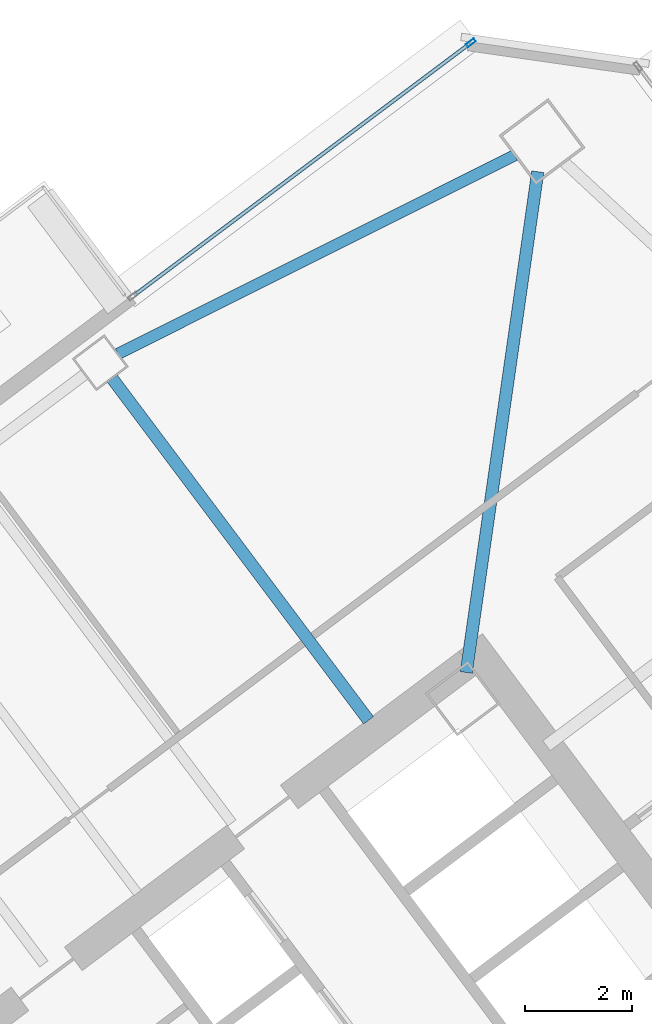
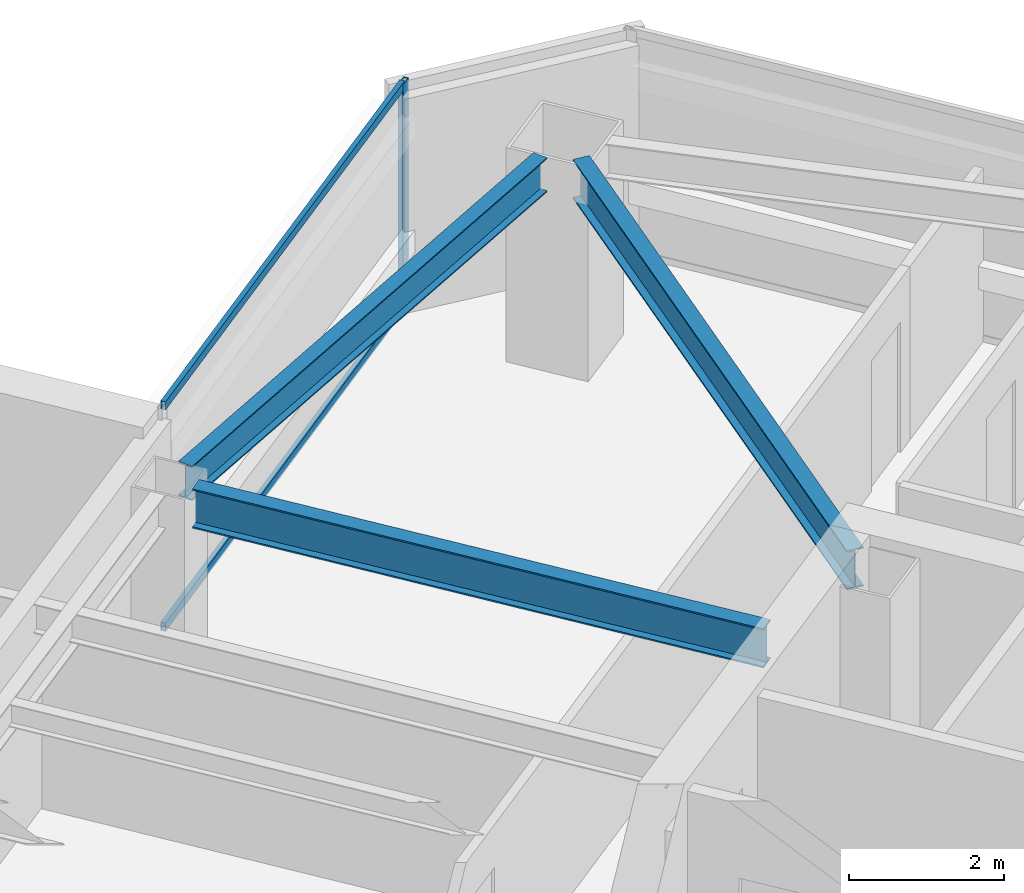
# One storey, part 28 of 41: 3 beams, 3 members, 1 element without a shape of its own.
"""IFC4 building model written with IfcOpenShell, lengths in metres."""

from ifc_helpers import new_model, si_unit, direction, frame, origin, origin_2d, place, context, subcontext, project, spatial, hollow_rectangle, i_section, extrude, material, material_profile, profile_set, type_object, element, aggregate, save


model = new_model("IFC4")

# Units and contexts
model_context = context("Model", 3, precision=1e-05, world=origin(), true_north=direction((0.0, 1.0)))
body_context = subcontext(model_context, "Body", "Model", "MODEL_VIEW")
ifc_project = project(units=[si_unit("LENGTHUNIT", "METRE"), si_unit("AREAUNIT", "SQUARE_METRE"), si_unit("VOLUMEUNIT", "CUBIC_METRE"), si_unit("PLANEANGLEUNIT", "RADIAN"), si_unit("MASSUNIT", "GRAM", prefix="KILO")], contexts=[model_context])

# Site, building, storey
site_placement = place(None, origin())
site = spatial("IfcSite", under=ifc_project, at=site_placement, CompositionType="ELEMENT")
building_placement = place(site_placement, origin())
building = spatial("IfcBuilding", under=site, at=building_placement, Name="Tashvorn Skyway Center", CompositionType="ELEMENT")
storey_placement = place(building_placement, frame((0.0, 0.0, 192.5)))
storey = spatial("IfcBuildingStorey", under=building, at=storey_placement, Name="L52", CompositionType="ELEMENT", Elevation=192.5)

# Beams
ifc_material_1 = material(Name="Steel ASTM A992 Grade 50", Category="steel")
ifc_material_profile_1 = material_profile(ifc_material_1, i_section(OverallWidth=0.22998046875, OverallDepth=0.616943359375, WebThickness=0.01318359375, FlangeThickness=0.022216796875, at=origin_2d()), Name="W24X94")
ifc_profile_set_1 = profile_set([ifc_material_profile_1], Name="Steel ASTM A992 Grade 50")
beam_type_1 = type_object("IfcBeamType", Name="BM-BEAM-W24X94", PredefinedType="BEAM", material=ifc_profile_set_1)
beam_1_placement = place(storey_placement, frame((116.8193359375, 51.73583984375, 3.0615234375), z_axis=(-0.141417747326, -0.989950009213, 0.0), x_axis=(0.989950009213, -0.141417747326, 0.0)))
element("IfcBeam", 1, at=beam_1_placement, inside=storey, type_object=beam_type_1, Name="Tower 2 L52 Primary Floor Girder MC-NE", PredefinedType="BEAM", context=body_context, shape_type="SweptSolid", body=[
    extrude(i_section(OverallWidth=0.22998046875, OverallDepth=0.616943359375, WebThickness=0.01318359375, FlangeThickness=0.022216796875, at=origin_2d()), origin(), (0.0, 0.0, 1.0), 9.470947265625),
])
beam_2_placement = place(storey_placement, frame((108.85205078125, 47.864013671875, 3.0615234375), z_axis=(0.60000976564, -0.799992675677, 0.0), x_axis=(0.799992675677, 0.60000976564, 0.0)))
element("IfcBeam", 2, at=beam_2_placement, inside=storey, type_object=beam_type_1, Name="Tower 2 L52 Primary Floor Girder FC-N1", PredefinedType="BEAM", context=body_context, shape_type="SweptSolid", body=[
    extrude(i_section(OverallWidth=0.22998046875, OverallDepth=0.616943359375, WebThickness=0.01318359375, FlangeThickness=0.022216796875, at=origin_2d()), origin(), (0.0, 0.0, 1.0), 8.0),
])
ifc_material_profile_2 = material_profile(ifc_material_1, i_section(OverallWidth=0.2109375, OverallDepth=0.5390625, WebThickness=0.01171875, FlangeThickness=0.018798828125, at=origin_2d()), Name="W21X73")
ifc_profile_set_2 = profile_set([ifc_material_profile_2], Name="Steel ASTM A992 Grade 50")
beam_type_2 = type_object("IfcBeamType", Name="BM-SPANDREL-W21X73", PredefinedType="SPANDREL", material=ifc_profile_set_2)
beam_3_placement = place(storey_placement, frame((116.390380859375, 52.044921875, 3.1005859375), z_axis=(-0.894209637559, -0.447648438059, 0.0), x_axis=(0.447648438059, -0.894209637559, 0.0)))
element("IfcBeam", 3, at=beam_3_placement, inside=storey, type_object=beam_type_2, Name="Tower 2 L52 Spandrel Beam 07", PredefinedType="SPANDREL", context=body_context, shape_type="SweptSolid", body=[
    extrude(i_section(OverallWidth=0.2109375, OverallDepth=0.5390625, WebThickness=0.01171875, FlangeThickness=0.018798828125, at=origin_2d()), origin(), (0.0, 0.0, 1.0), 8.308349609375),
])

# Curtain wall, members
ifc_material_2 = material(Name="Thermally broken bronze-anodized aluminium 6063-T6", Category="aluminium")
curtain_wall_type = type_object("IfcCurtainWallType", Name="CW-CW-Z4", PredefinedType="NOTDEFINED", material=ifc_material_2)
curtain_wall_placement = place(storey_placement, origin())
curtain_wall = element("IfcCurtainWall", 4, at=curtain_wall_placement, inside=storey, type_object=curtain_wall_type, Name="Tower 2 L52 North Curtain Wall R", PredefinedType="NOTDEFINED")
ifc_material_profile_3 = material_profile(ifc_material_2, hollow_rectangle(XDim=0.070068359375, YDim=0.179931640625, WallThickness=0.00390625, at=origin_2d()), Name="ALU-MULL-70x180")
ifc_profile_set_3 = profile_set([ifc_material_profile_3], Name="Thermally broken bronze-anodized aluminium 6063-T6")
member_type_1 = type_object("IfcMemberType", Name="CWM-CW-Z4", PredefinedType="MULLION", material=ifc_profile_set_3)
member_1_placement = place(storey_placement, frame((115.568115234375, 54.15087890625, 0.0), z_axis=(0.0, 0.0, 1.0), x_axis=(-0.600000000002, 0.799999999998, 0.0)))
member_1 = element("IfcMember", 5, at=member_1_placement, type_object=member_type_1, Name="CW-Z4 mullion 2", PredefinedType="MULLION", context=body_context, shape_type="SweptSolid", body=[
    extrude(hollow_rectangle(XDim=0.070068359375, YDim=0.179931640625, WallThickness=0.00390625, at=origin_2d()), origin(), (0.0, 0.0, 1.0), 3.550048828125),
])
ifc_material_profile_4 = material_profile(ifc_material_2, hollow_rectangle(XDim=0.070068359375, YDim=0.1298828125, WallThickness=0.00390625, at=origin_2d()), Name="ALU-TRAN-70x130")
ifc_profile_set_4 = profile_set([ifc_material_profile_4], Name="Thermally broken bronze-anodized aluminium 6063-T6")
member_type_2 = type_object("IfcMemberType", Name="CWT-CW-Z4", PredefinedType="USERDEFINED", material=ifc_profile_set_4)
member_2_placement = place(storey_placement, frame((109.26806640625, 49.426025390625, 0.034912109375), z_axis=(0.800007473733, 0.599990034893, 0.0), x_axis=(-0.599990034893, 0.800007473733, 0.0)))
member_2 = element("IfcMember", 6, at=member_2_placement, type_object=member_type_2, Name="CW-Z4 transom 1.1", ObjectType="TRANSOM", PredefinedType="USERDEFINED", context=body_context, shape_type="SweptSolid", body=[
    extrude(hollow_rectangle(XDim=0.070068359375, YDim=0.1298828125, WallThickness=0.00390625, at=origin_2d()), origin(), (0.0, 0.0, 1.0), 7.83984375),
])
member_3_placement = place(storey_placement, frame((109.26806640625, 49.426025390625, 3.514892578125), z_axis=(0.800007473733, 0.599990034893, 0.0), x_axis=(-0.599990034893, 0.800007473733, 0.0)))
member_3 = element("IfcMember", 7, at=member_3_placement, type_object=member_type_2, Name="CW-Z4 transom 1.2", ObjectType="TRANSOM", PredefinedType="USERDEFINED", context=body_context, shape_type="SweptSolid", body=[
    extrude(hollow_rectangle(XDim=0.070068359375, YDim=0.1298828125, WallThickness=0.00390625, at=origin_2d()), origin(), (0.0, 0.0, 1.0), 7.83984375),
])
aggregate(curtain_wall, [member_1, member_2, member_3])

save(model, "model.ifc")
